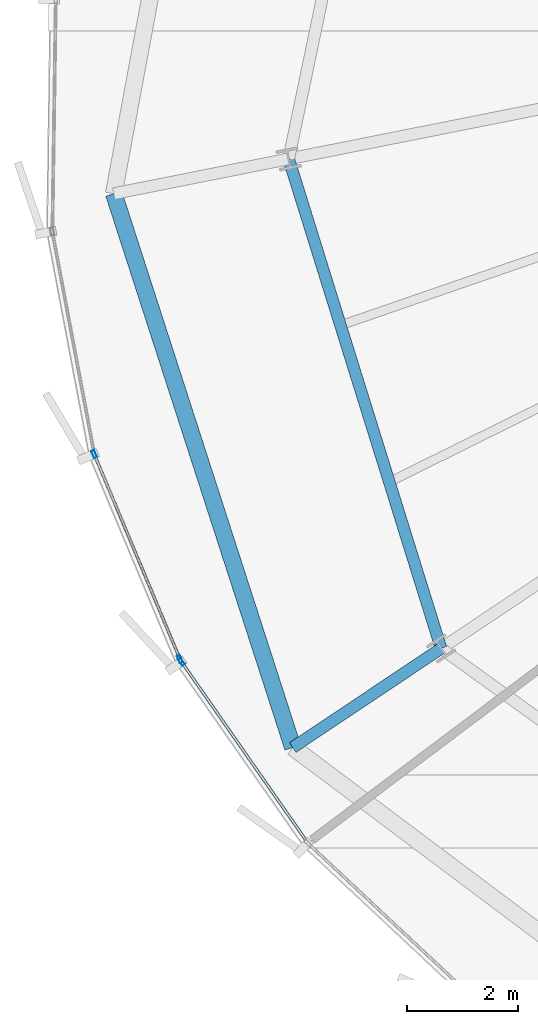
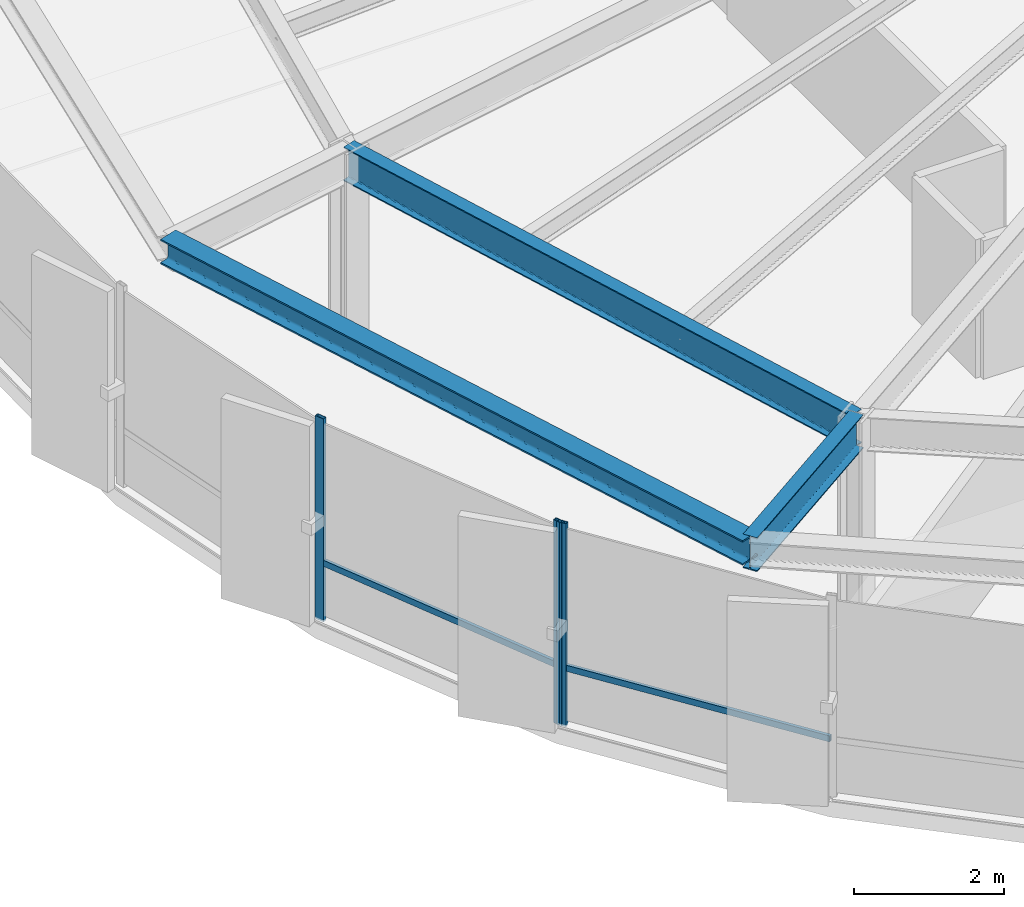
# One storey, part 3 of 36: 5 members, 3 beams, 2 elements without a shape of their own.
"""IFC4 building model written with IfcOpenShell, lengths in metres."""

from ifc_helpers import new_model, si_unit, direction, frame, origin, origin_2d, place, context, subcontext, project, spatial, hollow_rectangle, i_section, extrude, source, transform, mapped, material, layer, layer_set, material_profile, profile_set, type_object, element, aggregate, save


model = new_model("IFC4")

# Units and contexts
model_context = context("Model", 3, precision=1e-05, world=origin(), true_north=direction((0.0, 1.0)))
body_context = subcontext(model_context, "Body", "Model", "MODEL_VIEW")
ifc_project = project(units=[si_unit("LENGTHUNIT", "METRE"), si_unit("AREAUNIT", "SQUARE_METRE"), si_unit("VOLUMEUNIT", "CUBIC_METRE"), si_unit("PLANEANGLEUNIT", "RADIAN"), si_unit("MASSUNIT", "GRAM", prefix="KILO"), si_unit("THERMODYNAMICTEMPERATUREUNIT", "KELVIN")], contexts=[model_context])

# Site, building, storey
site_placement = place(None, origin())
site = spatial("IfcSite", under=ifc_project, at=site_placement, CompositionType="ELEMENT")
building_placement = place(site_placement, origin())
building = spatial("IfcBuilding", under=site, at=building_placement, Name="Kethvar Cultural Tower", CompositionType="ELEMENT")
storey_placement = place(building_placement, frame((0.0, 0.0, 150.10009765625)))
storey = spatial("IfcBuildingStorey", under=building, at=storey_placement, Name="L38", CompositionType="ELEMENT", Elevation=150.10009765625)

# Beams
ifc_material_1 = material(Name="Steel S355J2", Category="steel")
ifc_material_profile_1 = material_profile(ifc_material_1, i_section(OverallWidth=0.2099609375, OverallDepth=0.550048828125, WebThickness=0.010986328125, FlangeThickness=0.01708984375, FilletRadius=0.02392578125, at=origin_2d()), Name="Steel S355J2 — IPE550")
ifc_profile_set_1 = profile_set([ifc_material_profile_1], Name="Steel S355J2 — IPE550")
beam_type_1 = type_object("IfcBeamType", Name="BM-IPE550", PredefinedType="BEAM", material=ifc_profile_set_1)
shared_shape_1 = source(origin(), body_context, "Body", "SweptSolid", [
    extrude(i_section(OverallWidth=0.2099609375, OverallDepth=0.550048828125, WebThickness=0.010986328125, FlangeThickness=0.01708984375, FilletRadius=0.02392578125, at=origin_2d()), origin(), (0.0, 0.0, 1.0), 3.199951171875),
])
beam_1_placement = place(storey_placement, frame((26.920654296875, 14.51708984375, 3.02294921875), z_axis=(-0.831462943996, -0.555580212716, 0.0), x_axis=(0.555580212716, -0.831462943996, 0.0)))
element("IfcBeam", 1, at=beam_1_placement, inside=storey, type_object=beam_type_1, Name="L38 Perimeter Cantilever Beam RC-10", PredefinedType="BEAM", context=body_context, shape_type="MappedRepresentation", body=[
    mapped(shared_shape_1, transform((0.0, 0.0, 0.0), scale=1.0)),
])
shared_shape_2 = source(origin(), body_context, "Body", "SweptSolid", [
    extrude(i_section(OverallWidth=0.2099609375, OverallDepth=0.550048828125, WebThickness=0.010986328125, FlangeThickness=0.01708984375, FilletRadius=0.02392578125, at=origin_2d()), origin(), (0.0, 0.0, 1.0), 9.20068359375),
])
beam_2_placement = place(storey_placement, frame((24.185302734375, 23.3017578125, 3.02294921875), z_axis=(0.297298800285, -0.954784490526, 0.0), x_axis=(0.954784490526, 0.297298800285, 0.0)))
element("IfcBeam", 2, at=beam_2_placement, inside=storey, type_object=beam_type_1, Name="L38 Column Ring Tie Beam CR-09", PredefinedType="BEAM", context=body_context, shape_type="MappedRepresentation", body=[
    mapped(shared_shape_2, transform((0.0, 0.0, 0.0), scale=1.0)),
])
ifc_material_profile_2 = material_profile(ifc_material_1, i_section(OverallWidth=0.300048828125, OverallDepth=0.39990234375, WebThickness=0.013427734375, FlangeThickness=0.02392578125, FilletRadius=0.027099609375, at=origin_2d()), Name="Steel S355J2 — HEB400")
ifc_profile_set_2 = profile_set([ifc_material_profile_2], Name="Steel S355J2 — HEB400")
beam_type_2 = type_object("IfcBeamType", Name="BM-SP400", PredefinedType="SPANDREL", material=ifc_profile_set_2)
shared_shape_3 = source(origin(), body_context, "Body", "SweptSolid", [
    extrude(i_section(OverallWidth=0.300048828125, OverallDepth=0.39990234375, WebThickness=0.013427734375, FlangeThickness=0.02392578125, FilletRadius=0.027099609375, at=origin_2d()), origin(), (0.0, 0.0, 1.0), 10.44482421875),
])
beam_3_placement = place(storey_placement, frame((21.046875, 22.677490234375, 3.097900390625), z_axis=(0.307631709258, -0.951505507845, 0.0), x_axis=(0.951505507845, 0.307631709258, 0.0)))
element("IfcBeam", 3, at=beam_3_placement, inside=storey, type_object=beam_type_2, Name="L38 Perimeter Spandrel Beam SP-09", PredefinedType="SPANDREL", context=body_context, shape_type="MappedRepresentation", body=[
    mapped(shared_shape_3, transform((0.0, 0.0, 0.0), scale=1.0)),
])

# Curtain wall, members
ifc_material_2 = material(Name="Aluminium 6063-T6", Category="aluminium")
ifc_layer = layer(ifc_material_2, 0.179931640625, Name="Aluminium 6063-T6", Category="aluminium")
ifc_layer_set = layer_set([ifc_layer], Name="Aluminium 6063-T6 (180 mm)")
curtain_wall_type = type_object("IfcCurtainWallType", Name="CW-SYS-04-Z34", PredefinedType="NOTDEFINED", material=ifc_layer_set)
curtain_wall_1_placement = place(storey_placement, origin())
curtain_wall_1 = element("IfcCurtainWall", 4, at=curtain_wall_1_placement, inside=storey, type_object=curtain_wall_type, Name="L38 Curtain Wall Run 03", PredefinedType="NOTDEFINED")
ifc_material_profile_3 = material_profile(ifc_material_2, hollow_rectangle(XDim=0.06005859375, YDim=0.139892578125, WallThickness=0.0048828125, at=origin_2d()), Name="Aluminium 6063-T6 — RHS140x60x5")
ifc_profile_set_3 = profile_set([ifc_material_profile_3], Name="Aluminium 6063-T6 — RHS140x60x5")
member_type_1 = type_object("IfcMemberType", Name="CW-SYS-04-Z34-MUL", PredefinedType="MULLION", material=ifc_profile_set_3)
shared_shape_4 = source(origin(), body_context, "Body", "SweptSolid", [
    extrude(hollow_rectangle(XDim=0.06005859375, YDim=0.139892578125, WallThickness=0.0048828125, at=origin_2d()), origin(), (0.0, 0.0, 1.0), 3.2998046875),
])
member_1_placement = place(storey_placement, frame((20.69482421875, 18.005126953125, 0.0), z_axis=(0.0, 0.0, 1.0), x_axis=(0.922484197815, 0.386034849179, 0.0)))
member_1 = element("IfcMember", 5, at=member_1_placement, type_object=member_type_1, Name="CW-L38-R03 Mullion 6", PredefinedType="MULLION", context=body_context, shape_type="MappedRepresentation", body=[
    mapped(shared_shape_4, transform((0.0, 0.0, 0.0), scale=1.0)),
])
member_2_placement = place(storey_placement, frame((22.234375, 14.32568359375, 0.0), z_axis=(0.0, 0.0, 1.0), x_axis=(0.922484197815, 0.386034849179, 0.0)))
member_2 = element("IfcMember", 6, at=member_2_placement, type_object=member_type_1, Name="CW-L38-R03 Mullion 7", PredefinedType="MULLION", context=body_context, shape_type="MappedRepresentation", body=[
    mapped(shared_shape_4, transform((0.0, 0.0, 0.0), scale=1.0)),
])

# Curtain wall, member
curtain_wall_2_placement = place(storey_placement, origin())
curtain_wall_2 = element("IfcCurtainWall", 7, at=curtain_wall_2_placement, inside=storey, type_object=curtain_wall_type, Name="L38 Curtain Wall Run 04", PredefinedType="NOTDEFINED")
member_3_placement = place(storey_placement, frame((22.260498046875, 14.2783203125, 0.0), z_axis=(0.0, 0.0, 1.0), x_axis=(0.820221770558, 0.572045668722, 0.0)))
member_3 = element("IfcMember", 8, at=member_3_placement, type_object=member_type_1, Name="CW-L38-R04 Mullion 1", PredefinedType="MULLION", context=body_context, shape_type="MappedRepresentation", body=[
    mapped(shared_shape_4, transform((0.0, 0.0, 0.0), scale=1.0)),
])

# Member
ifc_material_profile_4 = material_profile(ifc_material_2, hollow_rectangle(XDim=0.050048828125, YDim=0.10009765625, WallThickness=0.00390625, at=origin_2d()), Name="Aluminium 6063-T6 — RHS100x50x4")
ifc_profile_set_4 = profile_set([ifc_material_profile_4], Name="Aluminium 6063-T6 — RHS100x50x4")
member_type_2 = type_object("IfcMemberType", Name="CW-SYS-04-Z34-TRN", PredefinedType="USERDEFINED", material=ifc_profile_set_4)
shared_shape_5 = source(origin(), body_context, "Body", "SweptSolid", [
    extrude(hollow_rectangle(XDim=0.050048828125, YDim=0.10009765625, WallThickness=0.00390625, at=origin_2d()), origin(), (0.0, 0.0, 1.0), 3.94091796875),
])
member_4_placement = place(storey_placement, frame((20.71142578125, 17.965087890625, 0.949951171875), z_axis=(0.386062083922, -0.922472800335, 0.0), x_axis=(0.922472800335, 0.386062083922, 0.0)))
member_4 = element("IfcMember", 9, at=member_4_placement, type_object=member_type_2, Name="CW-L38-R03 Transom 6", ObjectType="TRANSOM", PredefinedType="USERDEFINED", context=body_context, shape_type="MappedRepresentation", body=[
    mapped(shared_shape_5, transform((0.0, 0.0, 0.0), scale=1.0)),
])

aggregate(curtain_wall_1, [member_1, member_2, member_4])

member_5_placement = place(storey_placement, frame((22.262939453125, 14.27490234375, 0.949951171875), z_axis=(0.572047862589, -0.820220240489, 0.0), x_axis=(0.820220240489, 0.572047862589, 0.0)))
member_5 = element("IfcMember", 10, at=member_5_placement, type_object=member_type_2, Name="CW-L38-R04 Transom 1", ObjectType="TRANSOM", PredefinedType="USERDEFINED", context=body_context, shape_type="MappedRepresentation", body=[
    mapped(shared_shape_5, transform((0.0, 0.0, 0.0), scale=1.0)),
])

aggregate(curtain_wall_2, [member_3, member_5])

save(model, "model.ifc")
